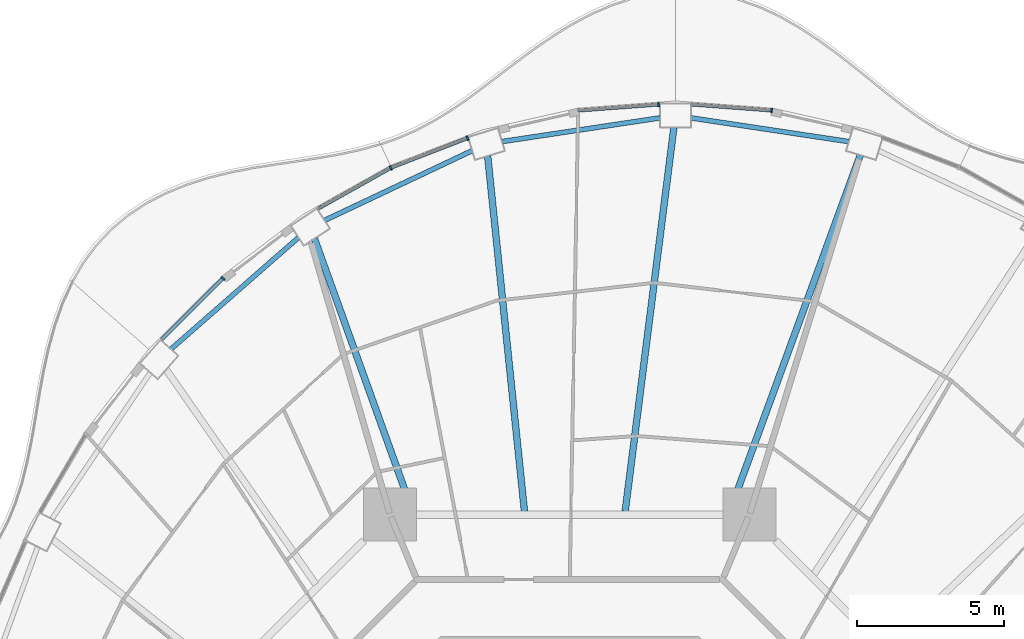
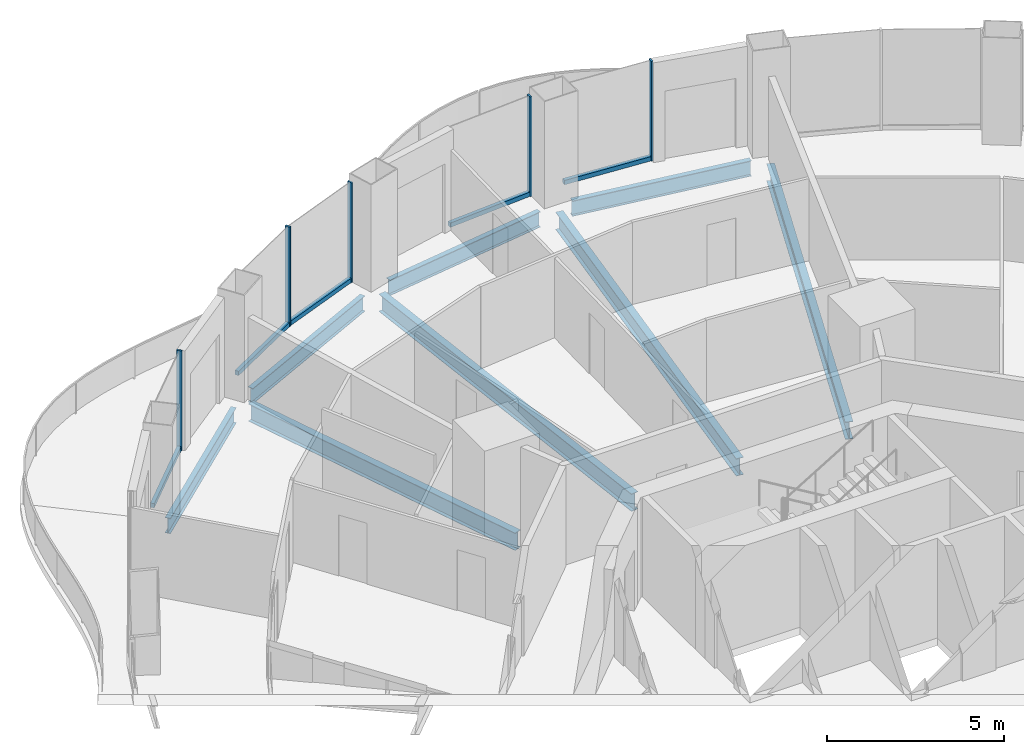
# One storey, part 7 of 19: 10 members, 8 beams, 5 elements without a shape of their own.
"""IFC4 building model written with IfcOpenShell, lengths in metres."""

from ifc_helpers import new_model, si_unit, direction, frame, origin, origin_2d, place, context, subcontext, project, spatial, rectangle, i_section, extrude, material, layer, layer_set, material_profile, profile_set, type_object, element, aggregate, save


model = new_model("IFC4")

# Units and contexts
model_context = context("Model", 3, precision=1e-05, world=origin(), true_north=direction((0.0, 1.0)))
body_context = subcontext(model_context, "Body", "Model", "MODEL_VIEW")
ifc_project = project(units=[si_unit("LENGTHUNIT", "METRE"), si_unit("AREAUNIT", "SQUARE_METRE"), si_unit("VOLUMEUNIT", "CUBIC_METRE"), si_unit("PLANEANGLEUNIT", "RADIAN"), si_unit("MASSUNIT", "GRAM", prefix="KILO")], contexts=[model_context])

# Site, building, storey
site_placement = place(None, origin())
site = spatial("IfcSite", under=ifc_project, at=site_placement, CompositionType="ELEMENT")
building_placement = place(site_placement, origin())
building = spatial("IfcBuilding", under=site, at=building_placement, Name="Nagisa Residences", CompositionType="ELEMENT")
storey_placement = place(building_placement, frame((0.0, 0.0, 188.10009765625)))
storey = spatial("IfcBuildingStorey", under=building, at=storey_placement, Name="L47", CompositionType="ELEMENT", Elevation=188.10009765625)

# Curtain wall, member
ifc_material_1 = material(Name="Concrete-coloured aluminium curtain wall system", Category="concrete")
ifc_layer = layer(ifc_material_1, 0.159912109375)
ifc_layer_set = layer_set([ifc_layer], Name="CW1 CURTAIN WALL")
curtain_wall_type = type_object("IfcCurtainWallType", Name="CW1 CURTAIN WALL", PredefinedType="NOTDEFINED", material=ifc_layer_set)
curtain_wall_1_placement = place(storey_placement, origin())
curtain_wall_1 = element("IfcCurtainWall", 1, at=curtain_wall_1_placement, inside=storey, type_object=curtain_wall_type, Name="cw:CW1:L47:11", PredefinedType="NOTDEFINED")
ifc_material_2 = material(Name="Concrete-coloured aluminium", Category="concrete")
ifc_material_profile_1 = material_profile(ifc_material_2, rectangle(XDim=0.159912109375, YDim=0.06005859375, at=origin_2d()), Name="CW1 MULLION 160x60")
ifc_profile_set_1 = profile_set([ifc_material_profile_1], Name="Concrete-coloured aluminium")
member_type_1 = type_object("IfcMemberType", Name="CW1 MULLION 160x60", PredefinedType="MULLION", material=ifc_profile_set_1)
member_1_placement = place(storey_placement, frame((6.876220703125, 28.550537109375, 0.0), z_axis=(0.0, 0.0, 1.0), x_axis=(-0.074377355493, -0.997230168512, 0.0)))
member_1 = element("IfcMember", 2, at=member_1_placement, type_object=member_type_1, Name="CW1 mullion", PredefinedType="MULLION", context=body_context, shape_type="SweptSolid", body=[
    extrude(rectangle(XDim=0.159912109375, YDim=0.06005859375, at=origin_2d()), origin(), (0.0, 0.0, 1.0), 3.43994140625),
])

curtain_wall_2_placement = place(storey_placement, origin())
curtain_wall_2 = element("IfcCurtainWall", 3, at=curtain_wall_2_placement, inside=storey, type_object=curtain_wall_type, Name="cw:CW1:L47:12", PredefinedType="NOTDEFINED")
member_2_placement = place(storey_placement, frame((3.027587890625, 28.752197265625, 0.0), z_axis=(0.0, 0.0, 1.0), x_axis=(0.074377355493, -0.997230168512, 0.0)))
member_2 = element("IfcMember", 4, at=member_2_placement, type_object=member_type_1, Name="CW1 mullion", PredefinedType="MULLION", context=body_context, shape_type="SweptSolid", body=[
    extrude(rectangle(XDim=0.159912109375, YDim=0.06005859375, at=origin_2d()), origin(), (0.0, 0.0, 1.0), 3.43994140625),
])

curtain_wall_3_placement = place(storey_placement, origin())
curtain_wall_3 = element("IfcCurtainWall", 5, at=curtain_wall_3_placement, inside=storey, type_object=curtain_wall_type, Name="cw:CW1:L47:14", PredefinedType="NOTDEFINED")
member_3_placement = place(storey_placement, frame((-3.479736328125, 27.607421875, 0.0), z_axis=(0.0, 0.0, 1.0), x_axis=(0.360327770268, -0.932825759707, 0.0)))
member_3 = element("IfcMember", 6, at=member_3_placement, type_object=member_type_1, Name="CW1 mullion", PredefinedType="MULLION", context=body_context, shape_type="SweptSolid", body=[
    extrude(rectangle(XDim=0.159912109375, YDim=0.06005859375, at=origin_2d()), origin(), (0.0, 0.0, 1.0), 3.43994140625),
])

curtain_wall_4_placement = place(storey_placement, origin())
curtain_wall_4 = element("IfcCurtainWall", 7, at=curtain_wall_4_placement, inside=storey, type_object=curtain_wall_type, Name="cw:CW1:L47:15", PredefinedType="NOTDEFINED")
member_4_placement = place(storey_placement, frame((-6.09765625, 26.592529296875, 0.0), z_axis=(0.0, 0.0, 1.0), x_axis=(0.489376918501, -0.872072377523, 0.0)))
member_4 = element("IfcMember", 8, at=member_4_placement, type_object=member_type_1, Name="CW1 mullion", PredefinedType="MULLION", context=body_context, shape_type="SweptSolid", body=[
    extrude(rectangle(XDim=0.159912109375, YDim=0.06005859375, at=origin_2d()), origin(), (0.0, 0.0, 1.0), 3.43994140625),
])

curtain_wall_5_placement = place(storey_placement, origin())
curtain_wall_5 = element("IfcCurtainWall", 9, at=curtain_wall_5_placement, inside=storey, type_object=curtain_wall_type, Name="cw:CW1:L47:17", PredefinedType="NOTDEFINED")
member_5_placement = place(storey_placement, frame((-11.81201171875, 22.830322265625, 0.0), z_axis=(0.0, 0.0, 1.0), x_axis=(0.706376885714, -0.707835924016, 0.0)))
member_5 = element("IfcMember", 10, at=member_5_placement, type_object=member_type_1, Name="CW1 mullion", PredefinedType="MULLION", context=body_context, shape_type="SweptSolid", body=[
    extrude(rectangle(XDim=0.159912109375, YDim=0.06005859375, at=origin_2d()), origin(), (0.0, 0.0, 1.0), 3.43994140625),
])

# Member
ifc_material_3 = material(Name="Concrete-coloured aluminium", Category="concrete")
ifc_material_profile_2 = material_profile(ifc_material_3, rectangle(XDim=0.1201171875, YDim=0.14990234375, at=origin_2d()), Name="CW1 TRANSOM 120x150")
ifc_profile_set_2 = profile_set([ifc_material_profile_2], Name="Concrete-coloured aluminium")
member_type_2 = type_object("IfcMemberType", Name="CW1 TRANSOM 120x150", PredefinedType="USERDEFINED", material=ifc_profile_set_2)
member_6_placement = place(storey_placement, frame((6.90625, 28.548095703125, 0.074951171875), z_axis=(-0.997225528735, 0.074439538143, 0.0), x_axis=(-0.074439538143, -0.997225528735, 0.0)))
member_6 = element("IfcMember", 11, at=member_6_placement, type_object=member_type_2, Name="CW1 transom", ObjectType="TRANSOM", PredefinedType="USERDEFINED", context=body_context, shape_type="SweptSolid", body=[
    extrude(rectangle(XDim=0.1201171875, YDim=0.14990234375, at=origin_2d()), origin(), (0.0, 0.0, 1.0), 2.771240234375),
])

aggregate(curtain_wall_1, [member_1, member_6])

member_7_placement = place(storey_placement, frame((3.057373046875, 28.75439453125, 0.074951171875), z_axis=(-0.99722504052, -0.074446078208, 0.0), x_axis=(0.074446078208, -0.99722504052, 0.0)))
member_7 = element("IfcMember", 12, at=member_7_placement, type_object=member_type_2, Name="CW1 transom", ObjectType="TRANSOM", PredefinedType="USERDEFINED", context=body_context, shape_type="SweptSolid", body=[
    extrude(rectangle(XDim=0.1201171875, YDim=0.14990234375, at=origin_2d()), origin(), (0.0, 0.0, 1.0), 2.77099609375),
])

aggregate(curtain_wall_2, [member_2, member_7])

member_8_placement = place(storey_placement, frame((-3.45166015625, 27.618408203125, 0.074951171875), z_axis=(-0.932806734513, -0.360377019311, 0.0), x_axis=(0.360377019311, -0.932806734513, 0.0)))
member_8 = element("IfcMember", 13, at=member_8_placement, type_object=member_type_2, Name="CW1 transom", ObjectType="TRANSOM", PredefinedType="USERDEFINED", context=body_context, shape_type="SweptSolid", body=[
    extrude(rectangle(XDim=0.1201171875, YDim=0.14990234375, at=origin_2d()), origin(), (0.0, 0.0, 1.0), 2.819580078125),
])

aggregate(curtain_wall_3, [member_3, member_8])

member_9_placement = place(storey_placement, frame((-6.071533203125, 26.607177734375, 0.074951171875), z_axis=(-0.872057843239, -0.489402817774, 0.0), x_axis=(0.489402817774, -0.872057843239, 0.0)))
member_9 = element("IfcMember", 14, at=member_9_placement, type_object=member_type_2, Name="CW1 transom", ObjectType="TRANSOM", PredefinedType="USERDEFINED", context=body_context, shape_type="SweptSolid", body=[
    extrude(rectangle(XDim=0.1201171875, YDim=0.14990234375, at=origin_2d()), origin(), (0.0, 0.0, 1.0), 2.863525390625),
])

aggregate(curtain_wall_4, [member_4, member_9])

member_10_placement = place(storey_placement, frame((-11.790771484375, 22.8515625, 0.074951171875), z_axis=(-0.707803821372, -0.706409053206, 0.0), x_axis=(0.706409053206, -0.707803821372, 0.0)))
member_10 = element("IfcMember", 15, at=member_10_placement, type_object=member_type_2, Name="CW1 transom", ObjectType="TRANSOM", PredefinedType="USERDEFINED", context=body_context, shape_type="SweptSolid", body=[
    extrude(rectangle(XDim=0.1201171875, YDim=0.14990234375, at=origin_2d()), origin(), (0.0, 0.0, 1.0), 2.9755859375),
])

aggregate(curtain_wall_5, [member_5, member_10])

# Beams
ifc_material_4 = material(Name="Steel ASTM A572 Gr 50", Category="steel")
ifc_material_profile_3 = material_profile(ifc_material_4, i_section(OverallWidth=0.166015625, OverallDepth=0.534912109375, WebThickness=0.01025390625, FlangeThickness=0.0166015625, at=origin_2d()), Name="W530x85")
ifc_profile_set_3 = profile_set([ifc_material_profile_3], Name="Steel ASTM A572 Gr 50")
beam_type_1 = type_object("IfcBeamType", Name="Perimeter ring beam W530x85", PredefinedType="BEAM", material=ifc_profile_set_3)
for number, where, z_axis, x_axis, name in (
    (16, (9.508056640625, 27.48779296875, -0.527587890625), (-0.988911312658, 0.148507291732, 0.0), (-0.148507291732, -0.988911312658, 0.0), "beam:L47:pb06"),
    (17, (3.06982421875, 28.29541015625, -0.527587890625), (-0.988911312658, -0.148507291732, 0.0), (0.148507291732, -0.988911312658, 0.0), "beam:L47:pb07"),
):
    element("IfcBeam", number, at=place(storey_placement, frame(where, z_axis=z_axis, x_axis=x_axis)), inside=storey, type_object=beam_type_1, Name=name, PredefinedType="BEAM", context=body_context, shape_type="SweptSolid", body=[
        extrude(i_section(OverallWidth=0.166015625, OverallDepth=0.534912109375, WebThickness=0.01025390625, FlangeThickness=0.0166015625, at=origin_2d()), origin(), (0.0, 0.0, 1.0), 5.438232421875),
    ])
beam_1_placement = place(storey_placement, frame((-3.32275390625, 27.17919921875, -0.527587890625), z_axis=(-0.904157325884, -0.427199637232, 0.0), x_axis=(0.427199637232, -0.904157325884, 0.0)))
element("IfcBeam", 18, at=beam_1_placement, inside=storey, type_object=beam_type_1, Name="beam:L47:pb08", PredefinedType="BEAM", context=body_context, shape_type="SweptSolid", body=[
    extrude(i_section(OverallWidth=0.166015625, OverallDepth=0.534912109375, WebThickness=0.01025390625, FlangeThickness=0.0166015625, at=origin_2d()), origin(), (0.0, 0.0, 1.0), 5.56396484375),
])
beam_2_placement = place(storey_placement, frame((-9.240234375, 24.220947265625, -0.527587890625), z_axis=(-0.752461486776, -0.658636250838, 0.0), x_axis=(0.658636250838, -0.752461486776, 0.0)))
element("IfcBeam", 19, at=beam_2_placement, inside=storey, type_object=beam_type_1, Name="beam:L47:pb09", PredefinedType="BEAM", context=body_context, shape_type="SweptSolid", body=[
    extrude(i_section(OverallWidth=0.166015625, OverallDepth=0.534912109375, WebThickness=0.01025390625, FlangeThickness=0.0166015625, at=origin_2d()), origin(), (0.0, 0.0, 1.0), 5.776611328125),
])
ifc_material_5 = material(Name="Steel ASTM A572 Gr 50", Category="steel")
ifc_material_profile_4 = material_profile(ifc_material_5, i_section(OverallWidth=0.22802734375, OverallDepth=0.60302734375, WebThickness=0.010498046875, FlangeThickness=0.014892578125, at=origin_2d()), Name="W610x101")
ifc_profile_set_4 = profile_set([ifc_material_profile_4], Name="Steel ASTM A572 Gr 50")
beam_type_2 = type_object("IfcBeamType", Name="Radial beam W610x101", PredefinedType="BEAM", material=ifc_profile_set_4)
beam_3_placement = place(storey_placement, frame((9.898681640625, 27.02734375, -0.5615234375), z_axis=(-0.343903309659, -0.939005065804, 0.0), x_axis=(0.939005065804, -0.343903309659, 0.0)))
element("IfcBeam", 20, at=beam_3_placement, inside=storey, type_object=beam_type_2, Name="beam:L47:rb06", PredefinedType="BEAM", context=body_context, shape_type="SweptSolid", body=[
    extrude(i_section(OverallWidth=0.22802734375, OverallDepth=0.60302734375, WebThickness=0.010498046875, FlangeThickness=0.014892578125, at=origin_2d()), origin(), (0.0, 0.0, 1.0), 12.92529296875),
])
beam_4_placement = place(storey_placement, frame((3.548583984375, 27.9697265625, -0.5615234375), z_axis=(-0.125871302495, -0.992046579153, 0.0), x_axis=(0.992046579153, -0.125871302495, 0.0)))
element("IfcBeam", 21, at=beam_4_placement, inside=storey, type_object=beam_type_2, Name="beam:L47:rb07", PredefinedType="BEAM", context=body_context, shape_type="SweptSolid", body=[
    extrude(i_section(OverallWidth=0.22802734375, OverallDepth=0.60302734375, WebThickness=0.010498046875, FlangeThickness=0.014892578125, at=origin_2d()), origin(), (0.0, 0.0, 1.0), 13.185546875),
])
beam_5_placement = place(storey_placement, frame((-2.795654296875, 26.997314453125, -0.5615234375), z_axis=(0.103007948723, -0.994680532885, 0.0), x_axis=(0.994680532885, 0.103007948723, 0.0)))
element("IfcBeam", 22, at=beam_5_placement, inside=storey, type_object=beam_type_2, Name="beam:L47:rb08", PredefinedType="BEAM", context=body_context, shape_type="SweptSolid", body=[
    extrude(i_section(OverallWidth=0.22802734375, OverallDepth=0.60302734375, WebThickness=0.010498046875, FlangeThickness=0.014892578125, at=origin_2d()), origin(), (0.0, 0.0, 1.0), 12.1728515625),
])
beam_6_placement = place(storey_placement, frame((-8.6962890625, 24.180908203125, -0.5615234375), z_axis=(0.338417364879, -0.940996114311, 0.0), x_axis=(0.940996114311, 0.338417364879, 0.0)))
element("IfcBeam", 23, at=beam_6_placement, inside=storey, type_object=beam_type_2, Name="beam:L47:rb09", PredefinedType="BEAM", context=body_context, shape_type="SweptSolid", body=[
    extrude(i_section(OverallWidth=0.22802734375, OverallDepth=0.60302734375, WebThickness=0.010498046875, FlangeThickness=0.014892578125, at=origin_2d()), origin(), (0.0, 0.0, 1.0), 9.873291015625),
])

save(model, "model.ifc")
